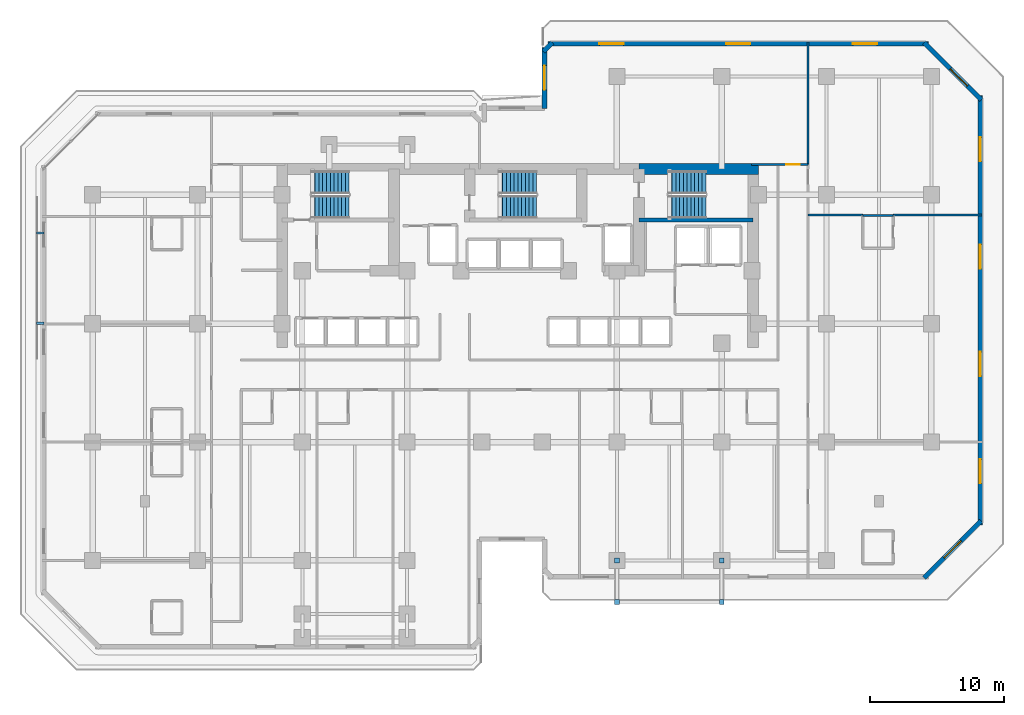
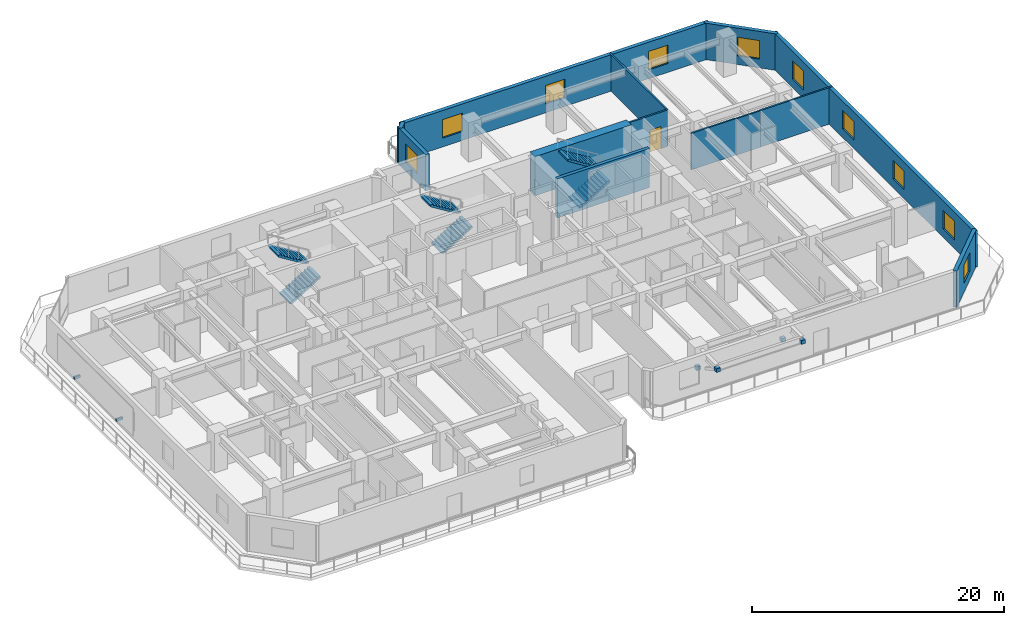
# One storey, part 10 of 12: 13 walls, 10 windows, 6 discrete accessories, 6 stair flights, 1 door, 11 openings, 3 elements without a shape of their own.
"""IFC4 building model written with IfcOpenShell, lengths in metres."""

from ifc_helpers import new_model, si_unit, direction, frame, frame_2d, origin, origin_2d, place, context, subcontext, project, spatial, polyline, rectangle, outline, extrude, material, layer, layer_set, type_object, element, fill, aggregate, save


model = new_model("IFC4")

# Units and contexts
model_context = context("Model", 3, precision=1e-05, world=origin(), true_north=direction((0.0, 1.0)))
body_context = subcontext(model_context, "Body", "Model", "MODEL_VIEW")
ifc_project = project(units=[si_unit("LENGTHUNIT", "METRE"), si_unit("AREAUNIT", "SQUARE_METRE"), si_unit("VOLUMEUNIT", "CUBIC_METRE"), si_unit("PLANEANGLEUNIT", "RADIAN"), si_unit("MASSUNIT", "GRAM", prefix="KILO")], contexts=[model_context])

# Site, building, storey
site_placement = place(None, origin())
site = spatial("IfcSite", under=ifc_project, at=site_placement, CompositionType="ELEMENT")
building_placement = place(site_placement, origin())
building = spatial("IfcBuilding", under=site, at=building_placement, Name="Kestravale Grand Hotel", CompositionType="ELEMENT")
storey_placement = place(building_placement, frame((0.0, 0.0, 80.39990234375)))
storey = spatial("IfcBuildingStorey", under=building, at=storey_placement, Name="L19", CompositionType="ELEMENT", Elevation=80.39990234375)

# Wall
ifc_material_1 = material(Name="Concrete f'c 60 MPa", Category="concrete")
ifc_layer_1 = layer(ifc_material_1, 0.800048828125)
ifc_layer_set_1 = layer_set([ifc_layer_1], Name="EW-CORE-800")
wall_type_1 = type_object("IfcWallType", Name="EW-CORE-800", PredefinedType="SHEAR", material=ifc_layer_set_1)
wall_1_placement = place(storey_placement, frame((48.449951171875, 40.320068359375, 0.0), z_axis=(0.0, 0.0, 1.0), x_axis=(1.0, 0.0, 0.0)))
element("IfcWall", 1, at=wall_1_placement, inside=storey, type_object=wall_type_1, Name="L19 core shear wall N3", PredefinedType="SHEAR", context=body_context, shape_type="SweptSolid", body=[
    extrude(rectangle(XDim=8.8701171875, YDim=0.800048828125, at=frame_2d((4.43505859375, 0.0))), origin(), (0.0, 0.0, 1.0), 3.800048828125),
])

# Wall, opening, window
ifc_material_2 = material(Name="Precast concrete f'c 45 MPa", Category="concrete")
ifc_layer_2 = layer(ifc_material_2, 0.340087890625)
ifc_layer_set_2 = layer_set([ifc_layer_2], Name="EW-PREC-340")
wall_type_2 = type_object("IfcWallType", Name="EW-PREC-340", PredefinedType="SOLIDWALL", material=ifc_layer_set_2)
wall_2_placement = place(storey_placement, frame((69.651611328125, 9.891845703125, 0.0), z_axis=(0.0, 0.0, 1.0), x_axis=(0.707106781187, 0.707106781187, 0.0)))
wall_2 = element("IfcWall", 2, at=wall_2_placement, inside=storey, type_object=wall_type_2, Name="L19 fluted precast facade wall 8", PredefinedType="SOLIDWALL", context=body_context, shape_type="SweptSolid", body=[
    extrude(rectangle(XDim=6.019775390625, YDim=0.340087890625, at=frame_2d((3.009765625, 0.0))), origin(), (0.0, 0.0, 1.0), 3.5400390625),
])
opening_1_placement = place(wall_2_placement, frame((2.10986328125, 0.0, 0.85009765625)))
opening_1 = element("IfcOpeningElement", 3, at=opening_1_placement, cuts=wall_2, Name="Opening W-GUEST-1800", PredefinedType="OPENING", context=body_context, shape_type="SweptSolid", body=[
    extrude(rectangle(XDim=1.800048828125, YDim=1.800048828125, at=frame_2d((0.89990234375, 0.89990234375))), frame((0.0, 0.179931640625, 0.0), z_axis=(0.0, -1.0, 0.0), x_axis=(1.0, 0.0, 0.0)), (0.0, 0.0, 1.0), 0.360107421875),
])
ifc_material_3 = material(Name="Insulated low-E double glazing in aluminium frame", Category="aluminium")
window_type = type_object("IfcWindowType", Name="W-GUEST-1800", PartitioningType="DOUBLE_PANEL_VERTICAL", PredefinedType="WINDOW", material=ifc_material_3)
window_1_placement = place(opening_1_placement, origin())
window_1 = element("IfcWindow", 4, at=window_1_placement, inside=storey, type_object=window_type, Name="L19 exterior window 8.1", OverallHeight=1.800048828125, OverallWidth=1.800048828125, PartitioningType="SINGLE_PANEL", PredefinedType="WINDOW", context=body_context, shape_type="SweptSolid", body=[
    extrude(rectangle(XDim=1.800048828125, YDim=1.800048828125, at=frame_2d((0.89990234375, 0.89990234375))), frame((0.0, 0.030029296875, 0.0), z_axis=(0.0, -1.0, 0.0), x_axis=(1.0, 0.0, 0.0)), (0.0, 0.0, 1.0), 0.06005859375),
])
fill(opening_1, window_1)

# Wall, openings, windows
wall_3_placement = place(storey_placement, frame((73.830078125, 13.830078125, 0.0), z_axis=(0.0, 0.0, 1.0), x_axis=(0.0, 1.0, 0.0)))
wall_3 = element("IfcWall", 5, at=wall_3_placement, inside=storey, type_object=wall_type_2, Name="L19 fluted precast facade wall 9", PredefinedType="SOLIDWALL", context=body_context, shape_type="SweptSolid", body=[
    extrude(rectangle(XDim=31.93994140625, YDim=0.340087890625, at=frame_2d((15.969970703125, 0.0))), origin(), (0.0, 0.0, 1.0), 3.5400390625),
])
opening_2_placement = place(wall_3_placement, frame((3.092529296875, 0.0, 0.85009765625)))
opening_2 = element("IfcOpeningElement", 6, at=opening_2_placement, cuts=wall_3, Name="Opening W-GUEST-1800", PredefinedType="OPENING", context=body_context, shape_type="SweptSolid", body=[
    extrude(rectangle(XDim=1.800048828125, YDim=1.800048828125, at=frame_2d((0.89990234375, 0.89990234375))), frame((0.0, 0.179931640625, 0.0), z_axis=(0.0, -1.0, 0.0), x_axis=(1.0, 0.0, 0.0)), (0.0, 0.0, 1.0), 0.360107421875),
])
opening_3_placement = place(wall_3_placement, frame((11.077392578125, 0.0, 0.85009765625)))
opening_3 = element("IfcOpeningElement", 7, at=opening_3_placement, cuts=wall_3, Name="Opening W-GUEST-1800", PredefinedType="OPENING", context=body_context, shape_type="SweptSolid", body=[
    extrude(rectangle(XDim=1.800048828125, YDim=1.800048828125, at=frame_2d((0.89990234375, 0.89990234375))), frame((0.0, 0.179931640625, 0.0), z_axis=(0.0, -1.0, 0.0), x_axis=(1.0, 0.0, 0.0)), (0.0, 0.0, 1.0), 0.360107421875),
])
opening_4_placement = place(wall_3_placement, frame((19.0625, 0.0, 0.85009765625)))
opening_4 = element("IfcOpeningElement", 8, at=opening_4_placement, cuts=wall_3, Name="Opening W-GUEST-1800", PredefinedType="OPENING", context=body_context, shape_type="SweptSolid", body=[
    extrude(rectangle(XDim=1.800048828125, YDim=1.800048828125, at=frame_2d((0.89990234375, 0.89990234375))), frame((0.0, 0.179931640625, 0.0), z_axis=(0.0, -1.0, 0.0), x_axis=(1.0, 0.0, 0.0)), (0.0, 0.0, 1.0), 0.360107421875),
])
opening_5_placement = place(wall_3_placement, frame((27.047607421875, 0.0, 0.85009765625)))
opening_5 = element("IfcOpeningElement", 9, at=opening_5_placement, cuts=wall_3, Name="Opening W-GUEST-1800", PredefinedType="OPENING", context=body_context, shape_type="SweptSolid", body=[
    extrude(rectangle(XDim=1.800048828125, YDim=1.800048828125, at=frame_2d((0.89990234375, 0.89990234375))), frame((0.0, 0.179931640625, 0.0), z_axis=(0.0, -1.0, 0.0), x_axis=(1.0, 0.0, 0.0)), (0.0, 0.0, 1.0), 0.360107421875),
])
window_2_placement = place(opening_2_placement, origin())
window_2 = element("IfcWindow", 10, at=window_2_placement, inside=storey, type_object=window_type, Name="L19 exterior window 9.1", OverallHeight=1.800048828125, OverallWidth=1.800048828125, PartitioningType="SINGLE_PANEL", PredefinedType="WINDOW", context=body_context, shape_type="SweptSolid", body=[
    extrude(rectangle(XDim=1.800048828125, YDim=1.800048828125, at=frame_2d((0.89990234375, 0.89990234375))), frame((0.0, 0.030029296875, 0.0), z_axis=(0.0, -1.0, 0.0), x_axis=(1.0, 0.0, 0.0)), (0.0, 0.0, 1.0), 0.06005859375),
])
fill(opening_2, window_2)
window_3_placement = place(opening_3_placement, origin())
window_3 = element("IfcWindow", 11, at=window_3_placement, inside=storey, type_object=window_type, Name="L19 exterior window 9.2", OverallHeight=1.800048828125, OverallWidth=1.800048828125, PartitioningType="SINGLE_PANEL", PredefinedType="WINDOW", context=body_context, shape_type="SweptSolid", body=[
    extrude(rectangle(XDim=1.800048828125, YDim=1.800048828125, at=frame_2d((0.89990234375, 0.89990234375))), frame((0.0, 0.030029296875, 0.0), z_axis=(0.0, -1.0, 0.0), x_axis=(1.0, 0.0, 0.0)), (0.0, 0.0, 1.0), 0.06005859375),
])
fill(opening_3, window_3)
window_4_placement = place(opening_4_placement, origin())
window_4 = element("IfcWindow", 12, at=window_4_placement, inside=storey, type_object=window_type, Name="L19 exterior window 9.3", OverallHeight=1.800048828125, OverallWidth=1.800048828125, PartitioningType="SINGLE_PANEL", PredefinedType="WINDOW", context=body_context, shape_type="SweptSolid", body=[
    extrude(rectangle(XDim=1.800048828125, YDim=1.800048828125, at=frame_2d((0.89990234375, 0.89990234375))), frame((0.0, 0.030029296875, 0.0), z_axis=(0.0, -1.0, 0.0), x_axis=(1.0, 0.0, 0.0)), (0.0, 0.0, 1.0), 0.06005859375),
])
fill(opening_4, window_4)
window_5_placement = place(opening_5_placement, origin())
window_5 = element("IfcWindow", 13, at=window_5_placement, inside=storey, type_object=window_type, Name="L19 exterior window 9.4", OverallHeight=1.800048828125, OverallWidth=1.800048828125, PartitioningType="SINGLE_PANEL", PredefinedType="WINDOW", context=body_context, shape_type="SweptSolid", body=[
    extrude(rectangle(XDim=1.800048828125, YDim=1.800048828125, at=frame_2d((0.89990234375, 0.89990234375))), frame((0.0, 0.030029296875, 0.0), z_axis=(0.0, -1.0, 0.0), x_axis=(1.0, 0.0, 0.0)), (0.0, 0.0, 1.0), 0.06005859375),
])
fill(opening_5, window_5)

# Wall, opening, window
wall_4_placement = place(storey_placement, frame((73.908203125, 45.451416015625, 0.0), z_axis=(0.0, 0.0, 1.0), x_axis=(-0.707106781187, 0.707106781187, 0.0)))
wall_4 = element("IfcWall", 14, at=wall_4_placement, inside=storey, type_object=wall_type_2, Name="L19 fluted precast facade wall 10", PredefinedType="SOLIDWALL", context=body_context, shape_type="SweptSolid", body=[
    extrude(rectangle(XDim=6.019775390625, YDim=0.340087890625, at=frame_2d((3.009765625, 0.0))), origin(), (0.0, 0.0, 1.0), 3.5400390625),
])
opening_6_placement = place(wall_4_placement, frame((1.4599609375, 0.0, 0.85009765625)))
opening_6 = element("IfcOpeningElement", 15, at=opening_6_placement, cuts=wall_4, Name="Opening W-GUEST-1800", PredefinedType="OPENING", context=body_context, shape_type="SweptSolid", body=[
    extrude(rectangle(XDim=1.800048828125, YDim=1.800048828125, at=frame_2d((0.89990234375, 0.89990234375))), frame((0.0, 0.179931640625, 0.0), z_axis=(0.0, -1.0, 0.0), x_axis=(1.0, 0.0, 0.0)), (0.0, 0.0, 1.0), 0.360107421875),
])
window_6_placement = place(opening_6_placement, origin())
window_6 = element("IfcWindow", 16, at=window_6_placement, inside=storey, type_object=window_type, Name="L19 exterior window 10.1", OverallHeight=1.800048828125, OverallWidth=1.800048828125, PartitioningType="SINGLE_PANEL", PredefinedType="WINDOW", context=body_context, shape_type="SweptSolid", body=[
    extrude(rectangle(XDim=1.800048828125, YDim=1.800048828125, at=frame_2d((0.89990234375, 0.89990234375))), frame((0.0, 0.030029296875, 0.0), z_axis=(0.0, -1.0, 0.0), x_axis=(1.0, 0.0, 0.0)), (0.0, 0.0, 1.0), 0.06005859375),
])
fill(opening_6, window_6)

# Wall, openings, windows
wall_5_placement = place(storey_placement, frame((69.969970703125, 49.6298828125, 0.0), z_axis=(0.0, 0.0, 1.0), x_axis=(-1.0, 0.0, 0.0)))
wall_5 = element("IfcWall", 17, at=wall_5_placement, inside=storey, type_object=wall_type_2, Name="L19 fluted precast facade wall 11", PredefinedType="SOLIDWALL", context=body_context, shape_type="SweptSolid", body=[
    extrude(rectangle(XDim=28.2900390625, YDim=0.340087890625, at=frame_2d((14.14501953125, 0.0))), origin(), (0.0, 0.0, 1.0), 3.5400390625),
])
opening_7_placement = place(wall_5_placement, frame((3.81494140625, 0.0, 0.85009765625)))
opening_7 = element("IfcOpeningElement", 18, at=opening_7_placement, cuts=wall_5, Name="Opening W-GUEST-1800", PredefinedType="OPENING", context=body_context, shape_type="SweptSolid", body=[
    extrude(rectangle(XDim=1.800048828125, YDim=1.800048828125, at=frame_2d((0.89990234375, 0.89990234375))), frame((0.0, 0.179931640625, 0.0), z_axis=(0.0, -1.0, 0.0), x_axis=(1.0, 0.0, 0.0)), (0.0, 0.0, 1.0), 0.360107421875),
])
opening_8_placement = place(wall_5_placement, frame((13.2451171875, 0.0, 0.85009765625)))
opening_8 = element("IfcOpeningElement", 19, at=opening_8_placement, cuts=wall_5, Name="Opening W-GUEST-1800", PredefinedType="OPENING", context=body_context, shape_type="SweptSolid", body=[
    extrude(rectangle(XDim=1.800048828125, YDim=1.800048828125, at=frame_2d((0.89990234375, 0.89990234375))), frame((0.0, 0.179931640625, 0.0), z_axis=(0.0, -1.0, 0.0), x_axis=(1.0, 0.0, 0.0)), (0.0, 0.0, 1.0), 0.360107421875),
])
opening_9_placement = place(wall_5_placement, frame((22.675048828125, 0.0, 0.85009765625)))
opening_9 = element("IfcOpeningElement", 20, at=opening_9_placement, cuts=wall_5, Name="Opening W-GUEST-1800", PredefinedType="OPENING", context=body_context, shape_type="SweptSolid", body=[
    extrude(rectangle(XDim=1.800048828125, YDim=1.800048828125, at=frame_2d((0.89990234375, 0.89990234375))), frame((0.0, 0.179931640625, 0.0), z_axis=(0.0, -1.0, 0.0), x_axis=(1.0, 0.0, 0.0)), (0.0, 0.0, 1.0), 0.360107421875),
])
window_7_placement = place(opening_7_placement, origin())
window_7 = element("IfcWindow", 21, at=window_7_placement, inside=storey, type_object=window_type, Name="L19 exterior window 11.1", OverallHeight=1.800048828125, OverallWidth=1.800048828125, PartitioningType="SINGLE_PANEL", PredefinedType="WINDOW", context=body_context, shape_type="SweptSolid", body=[
    extrude(rectangle(XDim=1.800048828125, YDim=1.800048828125, at=frame_2d((0.89990234375, 0.89990234375))), frame((0.0, 0.030029296875, 0.0), z_axis=(0.0, -1.0, 0.0), x_axis=(1.0, 0.0, 0.0)), (0.0, 0.0, 1.0), 0.06005859375),
])
fill(opening_7, window_7)
window_8_placement = place(opening_8_placement, origin())
window_8 = element("IfcWindow", 22, at=window_8_placement, inside=storey, type_object=window_type, Name="L19 exterior window 11.2", OverallHeight=1.800048828125, OverallWidth=1.800048828125, PartitioningType="SINGLE_PANEL", PredefinedType="WINDOW", context=body_context, shape_type="SweptSolid", body=[
    extrude(rectangle(XDim=1.800048828125, YDim=1.800048828125, at=frame_2d((0.89990234375, 0.89990234375))), frame((0.0, 0.030029296875, 0.0), z_axis=(0.0, -1.0, 0.0), x_axis=(1.0, 0.0, 0.0)), (0.0, 0.0, 1.0), 0.06005859375),
])
fill(opening_8, window_8)
window_9_placement = place(opening_9_placement, origin())
window_9 = element("IfcWindow", 23, at=window_9_placement, inside=storey, type_object=window_type, Name="L19 exterior window 11.3", OverallHeight=1.800048828125, OverallWidth=1.800048828125, PartitioningType="SINGLE_PANEL", PredefinedType="WINDOW", context=body_context, shape_type="SweptSolid", body=[
    extrude(rectangle(XDim=1.800048828125, YDim=1.800048828125, at=frame_2d((0.89990234375, 0.89990234375))), frame((0.0, 0.030029296875, 0.0), z_axis=(0.0, -1.0, 0.0), x_axis=(1.0, 0.0, 0.0)), (0.0, 0.0, 1.0), 0.06005859375),
])
fill(opening_9, window_9)

# Wall
wall_6_placement = place(storey_placement, frame((41.99853515625, 49.7080078125, 0.0), z_axis=(0.0, 0.0, 1.0), x_axis=(-0.707238225886, -0.706975312048, 0.0)))
element("IfcWall", 24, at=wall_6_placement, inside=storey, type_object=wall_type_2, Name="L19 fluted precast facade wall 12", PredefinedType="SOLIDWALL", context=body_context, shape_type="SweptSolid", body=[
    extrude(rectangle(XDim=0.9287109375, YDim=0.340087890625, at=frame_2d((0.46435546875, 0.0))), origin(), (0.0, 0.0, 1.0), 3.5400390625),
])

# Wall, opening, window
wall_7_placement = place(storey_placement, frame((41.419921875, 49.3701171875, 0.0), z_axis=(0.0, 0.0, 1.0), x_axis=(0.0, -1.0, 0.0)))
wall_7 = element("IfcWall", 25, at=wall_7_placement, inside=storey, type_object=wall_type_2, Name="L19 fluted precast facade wall 13", PredefinedType="SOLIDWALL", context=body_context, shape_type="SweptSolid", body=[
    extrude(rectangle(XDim=4.5400390625, YDim=0.340087890625, at=frame_2d((2.27001953125, 0.0))), origin(), (0.0, 0.0, 1.0), 3.5400390625),
])
opening_10_placement = place(wall_7_placement, frame((1.3701171875, 0.0, 0.85009765625)))
opening_10 = element("IfcOpeningElement", 26, at=opening_10_placement, cuts=wall_7, Name="Opening W-GUEST-1800", PredefinedType="OPENING", context=body_context, shape_type="SweptSolid", body=[
    extrude(rectangle(XDim=1.800048828125, YDim=1.800048828125, at=frame_2d((0.89990234375, 0.89990234375))), frame((0.0, 0.179931640625, 0.0), z_axis=(0.0, -1.0, 0.0), x_axis=(1.0, 0.0, 0.0)), (0.0, 0.0, 1.0), 0.360107421875),
])
window_10_placement = place(opening_10_placement, origin())
window_10 = element("IfcWindow", 27, at=window_10_placement, inside=storey, type_object=window_type, Name="L19 exterior window 13.1", OverallHeight=1.800048828125, OverallWidth=1.800048828125, PartitioningType="SINGLE_PANEL", PredefinedType="WINDOW", context=body_context, shape_type="SweptSolid", body=[
    extrude(rectangle(XDim=1.800048828125, YDim=1.800048828125, at=frame_2d((0.89990234375, 0.89990234375))), frame((0.0, 0.030029296875, 0.0), z_axis=(0.0, -1.0, 0.0), x_axis=(1.0, 0.0, 0.0)), (0.0, 0.0, 1.0), 0.06005859375),
])
fill(opening_10, window_10)

# Walls
ifc_material_4 = material(Name="Concrete f'c 45 MPa", Category="concrete")
ifc_layer_3 = layer(ifc_material_4, 0.300048828125)
ifc_layer_set_3 = layer_set([ifc_layer_3], Name="EW-STAIR-300")
wall_type_3 = type_object("IfcWallType", Name="EW-STAIR-300", PredefinedType="SHEAR", material=ifc_layer_set_3)
wall_8_placement = place(storey_placement, frame((48.449951171875, 36.52001953125, 0.0), z_axis=(0.0, 0.0, 1.0), x_axis=(1.0, 0.0, 0.0)))
element("IfcWall", 28, at=wall_8_placement, inside=storey, type_object=wall_type_3, Name="L19 stair enclosure shear wall SST3", PredefinedType="SHEAR", context=body_context, shape_type="SweptSolid", body=[
    extrude(rectangle(XDim=8.469970703125, YDim=0.300048828125, at=frame_2d((4.23486328125, 0.0))), origin(), (0.0, 0.0, 1.0), 3.800048828125),
])
ifc_material_5 = material(Name="Moisture-resistant tile-backer plumbing chase wall", Category="other")
ifc_layer_4 = layer(ifc_material_5, 0.139892578125)
ifc_layer_set_4 = layer_set([ifc_layer_4], Name="IW-PLB-140")
wall_type_4 = type_object("IfcWallType", Name="IW-PLB-140", PredefinedType="PLUMBINGWALL", material=ifc_layer_set_4)
wall_9_placement = place(storey_placement, frame((65.10009765625, 36.860107421875, 0.0), z_axis=(0.0, 0.0, 1.0), x_axis=(1.0, 0.0, 0.0)))
element("IfcWall", 29, at=wall_9_placement, inside=storey, type_object=wall_type_4, Name="W-L19-U10-BN", PredefinedType="PLUMBINGWALL", context=body_context, shape_type="SweptSolid", body=[
    extrude(rectangle(XDim=2.25, YDim=0.139892578125, at=frame_2d((1.125, 0.0))), origin(), (0.0, 0.0, 1.0), 3.5400390625),
])

# Wall, opening, door
ifc_material_6 = material(Name="Double-stud STC 52 acoustic demising partition", Category="other")
ifc_layer_5 = layer(ifc_material_6, 0.14990234375)
ifc_layer_set_5 = layer_set([ifc_layer_5], Name="IW-UNIT-150")
wall_type_5 = type_object("IfcWallType", Name="IW-UNIT-150", PredefinedType="PARTITIONING", material=ifc_layer_set_5)
wall_10_placement = place(storey_placement, frame((56.800048828125, 40.64990234375, 0.0), z_axis=(0.0, 0.0, 1.0), x_axis=(1.0, 0.0, 0.0)))
wall_10 = element("IfcWall", 30, at=wall_10_placement, inside=storey, type_object=wall_type_5, Name="W-L19-SE-N", PredefinedType="PARTITIONING", context=body_context, shape_type="SweptSolid", body=[
    extrude(rectangle(XDim=4.2099609375, YDim=0.14990234375, at=frame_2d((2.10498046875, 0.0))), origin(), (0.0, 0.0, 1.0), 3.5400390625),
])
opening_11_placement = place(wall_10_placement, frame((2.60009765625, 0.0, 0.0)))
opening_11 = element("IfcOpeningElement", 31, at=opening_11_placement, cuts=wall_10, Name="Opening D-GUEST-1000", PredefinedType="OPENING", context=body_context, shape_type="SweptSolid", body=[
    extrude(rectangle(XDim=1.0, YDim=2.14990234375, at=frame_2d((0.5, 1.074951171875))), frame((0.0, 0.0849609375, 0.0), z_axis=(0.0, -1.0, 0.0), x_axis=(1.0, 0.0, 0.0)), (0.0, 0.0, 1.0), 0.169921875),
])
ifc_material_7 = material(Name="Accessible walnut veneer hotel entrance fire door", Category="wood")
door_type = type_object("IfcDoorType", Name="D-GUEST-1000", OperationType="NOTDEFINED", PredefinedType="DOOR", material=ifc_material_7)
door_placement = place(opening_11_placement, origin())
door = element("IfcDoor", 32, at=door_placement, inside=storey, type_object=door_type, Name="L19 NE Gallery Door", OperationType="SINGLE_SWING_LEFT", OverallHeight=2.14990234375, OverallWidth=1.0, PredefinedType="DOOR", context=body_context, shape_type="SweptSolid", body=[
    extrude(rectangle(XDim=1.0, YDim=2.14990234375, at=frame_2d((0.5, 1.074951171875))), frame((0.0, 0.02490234375, 0.0), z_axis=(0.0, -1.0, 0.0), x_axis=(1.0, 0.0, 0.0)), (0.0, 0.0, 1.0), 0.050048828125),
])
fill(opening_11, door)

# Walls
wall_11_placement = place(storey_placement, frame((61.010009765625, 40.64990234375, 0.0), z_axis=(0.0, 0.0, 1.0), x_axis=(0.0, 1.0, 0.0)))
element("IfcWall", 33, at=wall_11_placement, inside=storey, type_object=wall_type_5, Name="W-L19-NGE-E", PredefinedType="PARTITIONING", context=body_context, shape_type="SweptSolid", body=[
    extrude(rectangle(XDim=9.130126953125, YDim=0.14990234375, at=frame_2d((4.56494140625, 0.0))), origin(), (0.0, 0.0, 1.0), 3.5400390625),
])
wall_12_placement = place(storey_placement, frame((61.010009765625, 36.89990234375, 0.0), z_axis=(0.0, 0.0, 1.0), x_axis=(1.0, 0.0, 0.0)))
element("IfcWall", 34, at=wall_12_placement, inside=storey, type_object=wall_type_5, Name="W-L19-EW-2", PredefinedType="PARTITIONING", context=body_context, shape_type="SweptSolid", body=[
    extrude(rectangle(XDim=4.090087890625, YDim=0.14990234375, at=frame_2d((2.044921875, 0.0))), origin(), (0.0, 0.0, 1.0), 3.5400390625),
])
wall_13_placement = place(storey_placement, frame((67.35009765625, 36.89990234375, 0.0), z_axis=(0.0, 0.0, 1.0), x_axis=(1.0, 0.0, 0.0)))
element("IfcWall", 35, at=wall_13_placement, inside=storey, type_object=wall_type_5, Name="W-L19-EW-2", PredefinedType="PARTITIONING", context=body_context, shape_type="SweptSolid", body=[
    extrude(rectangle(XDim=6.6298828125, YDim=0.14990234375, at=frame_2d((3.31494140625, 0.0))), origin(), (0.0, 0.0, 1.0), 3.5400390625),
])

# Stair, stair flights
ifc_material_8 = material(Name="Concrete f'c 45 MPa", Category="concrete")
stair_type = type_object("IfcStairType", Name="ST-CORE-380", PredefinedType="HALF_TURN_STAIR", material=ifc_material_8)
stair_1_placement = place(storey_placement, origin())
stair_1 = element("IfcStair", 36, at=stair_1_placement, inside=storey, type_object=stair_type, Name="L19 ST-1", PredefinedType="HALF_TURN_STAIR")
ifc_material_9 = material(Name="Concrete f'c 45 MPa", Category="concrete")
stair_flight_type = type_object("IfcStairFlightType", Name="STF-CORE-380", PredefinedType="STRAIGHT", material=ifc_material_9)
stair_flight_1_placement = place(storey_placement, frame((24.080078125, 37.489990234375, 0.0), z_axis=(0.0, 0.0, 1.0), x_axis=(1.0, 0.0, 0.0)))
stair_flight_1 = element("IfcStairFlight", 37, at=stair_flight_1_placement, type_object=stair_flight_type, Name="ST-1 flight 1", NumberOfRisers=11, NumberOfTreads=10, PredefinedType="STRAIGHT", RiserHeight=0.172727273, TreadLength=0.28, context=body_context, shape_type="SweptSolid", body=[
    extrude(outline(polyline([(0.0, 0.0), (0.0, 0.172607421875), (0.280029296875, 0.172607421875), (0.280029296875, 0.345458984375), (0.56005859375, 0.345458984375), (0.56005859375, 0.51806640625), (0.840087890625, 0.51806640625), (0.840087890625, 0.69091796875), (1.1201171875, 0.69091796875), (1.1201171875, 0.863525390625), (1.39990234375, 0.863525390625), (1.39990234375, 1.036376953125), (1.679931640625, 1.036376953125), (1.679931640625, 1.208984375), (1.9599609375, 1.208984375), (1.9599609375, 1.3818359375), (2.239990234375, 1.3818359375), (2.239990234375, 1.554443359375), (2.52001953125, 1.554443359375), (2.52001953125, 1.727294921875), (2.800048828125, 1.727294921875), (2.800048828125, 1.89990234375), (2.800048828125, 1.551025390625), (0.285400390625, 0.0), (0.0, 0.0)])), frame((0.0, 0.83984375, 0.0), z_axis=(0.0, -1.0, 0.0), x_axis=(1.0, 0.0, 0.0)), (0.0, 0.0, 1.0), 1.679931640625),
])
stair_flight_2_placement = place(storey_placement, frame((26.8798828125, 39.320068359375, 1.900146484375), z_axis=(0.0, 0.0, 1.0), x_axis=(-1.0, 0.0, 0.0)))
stair_flight_2 = element("IfcStairFlight", 38, at=stair_flight_2_placement, type_object=stair_flight_type, Name="ST-1 flight 2", NumberOfRisers=11, NumberOfTreads=10, PredefinedType="STRAIGHT", RiserHeight=0.172727273, TreadLength=0.28, context=body_context, shape_type="SweptSolid", body=[
    extrude(outline(polyline([(0.0, 0.0), (0.0, 0.172607421875), (0.280029296875, 0.172607421875), (0.280029296875, 0.345458984375), (0.56005859375, 0.345458984375), (0.56005859375, 0.51806640625), (0.840087890625, 0.51806640625), (0.840087890625, 0.69091796875), (1.1201171875, 0.69091796875), (1.1201171875, 0.863525390625), (1.39990234375, 0.863525390625), (1.39990234375, 1.036376953125), (1.679931640625, 1.036376953125), (1.679931640625, 1.208984375), (1.9599609375, 1.208984375), (1.9599609375, 1.3818359375), (2.239990234375, 1.3818359375), (2.239990234375, 1.554443359375), (2.52001953125, 1.554443359375), (2.52001953125, 1.727294921875), (2.800048828125, 1.727294921875), (2.800048828125, 1.89990234375), (2.800048828125, 1.551025390625), (0.285400390625, 0.0), (0.0, 0.0)])), frame((0.0, 0.83984375, 0.0), z_axis=(0.0, -1.0, 0.0), x_axis=(1.0, 0.0, 0.0)), (0.0, 0.0, 1.0), 1.679931640625),
])
aggregate(stair_1, [stair_flight_1, stair_flight_2])

stair_2_placement = place(storey_placement, origin())
stair_2 = element("IfcStair", 39, at=stair_2_placement, inside=storey, type_object=stair_type, Name="L19 ST-2", PredefinedType="HALF_TURN_STAIR")
stair_flight_3_placement = place(storey_placement, frame((38.030029296875, 37.489990234375, 0.0), z_axis=(0.0, 0.0, 1.0), x_axis=(1.0, 0.0, 0.0)))
stair_flight_3 = element("IfcStairFlight", 40, at=stair_flight_3_placement, type_object=stair_flight_type, Name="ST-2 flight 1", NumberOfRisers=11, NumberOfTreads=10, PredefinedType="STRAIGHT", RiserHeight=0.172727273, TreadLength=0.28, context=body_context, shape_type="SweptSolid", body=[
    extrude(outline(polyline([(0.0, 0.0), (0.0, 0.172607421875), (0.280029296875, 0.172607421875), (0.280029296875, 0.345458984375), (0.56005859375, 0.345458984375), (0.56005859375, 0.51806640625), (0.840087890625, 0.51806640625), (0.840087890625, 0.69091796875), (1.1201171875, 0.69091796875), (1.1201171875, 0.863525390625), (1.39990234375, 0.863525390625), (1.39990234375, 1.036376953125), (1.679931640625, 1.036376953125), (1.679931640625, 1.208984375), (1.9599609375, 1.208984375), (1.9599609375, 1.3818359375), (2.239990234375, 1.3818359375), (2.239990234375, 1.554443359375), (2.52001953125, 1.554443359375), (2.52001953125, 1.727294921875), (2.800048828125, 1.727294921875), (2.800048828125, 1.89990234375), (2.800048828125, 1.551025390625), (0.285400390625, 0.0), (0.0, 0.0)])), frame((0.0, 0.83984375, 0.0), z_axis=(0.0, -1.0, 0.0), x_axis=(1.0, 0.0, 0.0)), (0.0, 0.0, 1.0), 1.679931640625),
])
stair_flight_4_placement = place(storey_placement, frame((40.830078125, 39.320068359375, 1.900146484375), z_axis=(0.0, 0.0, 1.0), x_axis=(-1.0, 0.0, 0.0)))
stair_flight_4 = element("IfcStairFlight", 41, at=stair_flight_4_placement, type_object=stair_flight_type, Name="ST-2 flight 2", NumberOfRisers=11, NumberOfTreads=10, PredefinedType="STRAIGHT", RiserHeight=0.172727273, TreadLength=0.28, context=body_context, shape_type="SweptSolid", body=[
    extrude(outline(polyline([(0.0, 0.0), (0.0, 0.172607421875), (0.280029296875, 0.172607421875), (0.280029296875, 0.345458984375), (0.56005859375, 0.345458984375), (0.56005859375, 0.51806640625), (0.840087890625, 0.51806640625), (0.840087890625, 0.69091796875), (1.1201171875, 0.69091796875), (1.1201171875, 0.863525390625), (1.39990234375, 0.863525390625), (1.39990234375, 1.036376953125), (1.679931640625, 1.036376953125), (1.679931640625, 1.208984375), (1.9599609375, 1.208984375), (1.9599609375, 1.3818359375), (2.239990234375, 1.3818359375), (2.239990234375, 1.554443359375), (2.52001953125, 1.554443359375), (2.52001953125, 1.727294921875), (2.800048828125, 1.727294921875), (2.800048828125, 1.89990234375), (2.800048828125, 1.551025390625), (0.285400390625, 0.0), (0.0, 0.0)])), frame((0.0, 0.83984375, 0.0), z_axis=(0.0, -1.0, 0.0), x_axis=(1.0, 0.0, 0.0)), (0.0, 0.0, 1.0), 1.679931640625),
])
aggregate(stair_2, [stair_flight_3, stair_flight_4])

stair_3_placement = place(storey_placement, origin())
stair_3 = element("IfcStair", 42, at=stair_3_placement, inside=storey, type_object=stair_type, Name="L19 ST-3", PredefinedType="HALF_TURN_STAIR")
stair_flight_5_placement = place(storey_placement, frame((50.6298828125, 37.489990234375, 0.0), z_axis=(0.0, 0.0, 1.0), x_axis=(1.0, 0.0, 0.0)))
stair_flight_5 = element("IfcStairFlight", 43, at=stair_flight_5_placement, type_object=stair_flight_type, Name="ST-3 flight 1", NumberOfRisers=11, NumberOfTreads=10, PredefinedType="STRAIGHT", RiserHeight=0.172727273, TreadLength=0.28, context=body_context, shape_type="SweptSolid", body=[
    extrude(outline(polyline([(0.0, 0.0), (0.0, 0.172607421875), (0.280029296875, 0.172607421875), (0.280029296875, 0.345458984375), (0.56005859375, 0.345458984375), (0.56005859375, 0.51806640625), (0.840087890625, 0.51806640625), (0.840087890625, 0.69091796875), (1.1201171875, 0.69091796875), (1.1201171875, 0.863525390625), (1.39990234375, 0.863525390625), (1.39990234375, 1.036376953125), (1.679931640625, 1.036376953125), (1.679931640625, 1.208984375), (1.9599609375, 1.208984375), (1.9599609375, 1.3818359375), (2.239990234375, 1.3818359375), (2.239990234375, 1.554443359375), (2.52001953125, 1.554443359375), (2.52001953125, 1.727294921875), (2.800048828125, 1.727294921875), (2.800048828125, 1.89990234375), (2.800048828125, 1.551025390625), (0.285400390625, 0.0), (0.0, 0.0)])), frame((0.0, 0.83984375, 0.0), z_axis=(0.0, -1.0, 0.0), x_axis=(1.0, 0.0, 0.0)), (0.0, 0.0, 1.0), 1.679931640625),
])
stair_flight_6_placement = place(storey_placement, frame((53.429931640625, 39.320068359375, 1.900146484375), z_axis=(0.0, 0.0, 1.0), x_axis=(-1.0, 0.0, 0.0)))
stair_flight_6 = element("IfcStairFlight", 44, at=stair_flight_6_placement, type_object=stair_flight_type, Name="ST-3 flight 2", NumberOfRisers=11, NumberOfTreads=10, PredefinedType="STRAIGHT", RiserHeight=0.172727273, TreadLength=0.28, context=body_context, shape_type="SweptSolid", body=[
    extrude(outline(polyline([(0.0, 0.0), (0.0, 0.172607421875), (0.280029296875, 0.172607421875), (0.280029296875, 0.345458984375), (0.56005859375, 0.345458984375), (0.56005859375, 0.51806640625), (0.840087890625, 0.51806640625), (0.840087890625, 0.69091796875), (1.1201171875, 0.69091796875), (1.1201171875, 0.863525390625), (1.39990234375, 0.863525390625), (1.39990234375, 1.036376953125), (1.679931640625, 1.036376953125), (1.679931640625, 1.208984375), (1.9599609375, 1.208984375), (1.9599609375, 1.3818359375), (2.239990234375, 1.3818359375), (2.239990234375, 1.554443359375), (2.52001953125, 1.554443359375), (2.52001953125, 1.727294921875), (2.800048828125, 1.727294921875), (2.800048828125, 1.89990234375), (2.800048828125, 1.551025390625), (0.285400390625, 0.0), (0.0, 0.0)])), frame((0.0, 0.83984375, 0.0), z_axis=(0.0, -1.0, 0.0), x_axis=(1.0, 0.0, 0.0)), (0.0, 0.0, 1.0), 1.679931640625),
])
aggregate(stair_3, [stair_flight_5, stair_flight_6])

# Discrete accessories
ifc_material_10 = material(Name="Steel ASTM A572 Grade 50 hot-dip galvanised bracket", Category="steel")
discrete_accessory_type = type_object("IfcDiscreteAccessoryType", Name="ACC-BRK-STL", PredefinedType="BRACKET", material=ifc_material_10)
for number, where, z_axis, x_axis, name in (
    (45, (46.800048828125, 11.199951171875, 1.19384765625), (0.0, 0.0, 1.0), (1.0, 0.0, 0.0), "L20 terrace strut column bracket 1"),
    (46, (46.800048828125, 8.10009765625, 2.89404296875), (0.0, 0.0, 1.0), (1.0, 0.0, 0.0), "L20 terrace strut beam bracket 1"),
    (47, (54.60009765625, 11.199951171875, 1.19384765625), (0.0, 0.0, 1.0), (1.0, 0.0, 0.0), "L20 terrace strut column bracket 2"),
    (48, (54.60009765625, 8.10009765625, 2.89404296875), (0.0, 0.0, 1.0), (1.0, 0.0, 0.0), "L20 terrace strut beam bracket 2"),
):
    element("IfcDiscreteAccessory", number, at=place(storey_placement, frame(where, z_axis=z_axis, x_axis=x_axis)), inside=storey, type_object=discrete_accessory_type, Name=name, PredefinedType="BRACKET", context=body_context, shape_type="SweptSolid", body=[
        extrude(rectangle(XDim=0.360107421875, YDim=0.360107421875, at=origin_2d()), origin(), (0.0, 0.0, 1.0), 0.360107421875),
    ])
for number, where, z_axis, x_axis, name in (
    (49, (3.905029296875, 35.56005859375, 0.56005859375), (0.0, 0.0, 1.0), (0.0, -1.0, 0.0), "L19 solar screen standoff bracket 1"),
    (50, (3.905029296875, 28.840087890625, 0.56005859375), (0.0, 0.0, 1.0), (0.0, -1.0, 0.0), "L19 solar screen standoff bracket 2"),
):
    element("IfcDiscreteAccessory", number, at=place(storey_placement, frame(where, z_axis=z_axis, x_axis=x_axis)), inside=storey, type_object=discrete_accessory_type, Name=name, PredefinedType="BRACKET", context=body_context, shape_type="SweptSolid", body=[
        extrude(rectangle(XDim=0.159912109375, YDim=0.56005859375, at=origin_2d()), origin(), (0.0, 0.0, 1.0), 0.239990234375),
    ])

save(model, "model.ifc")
